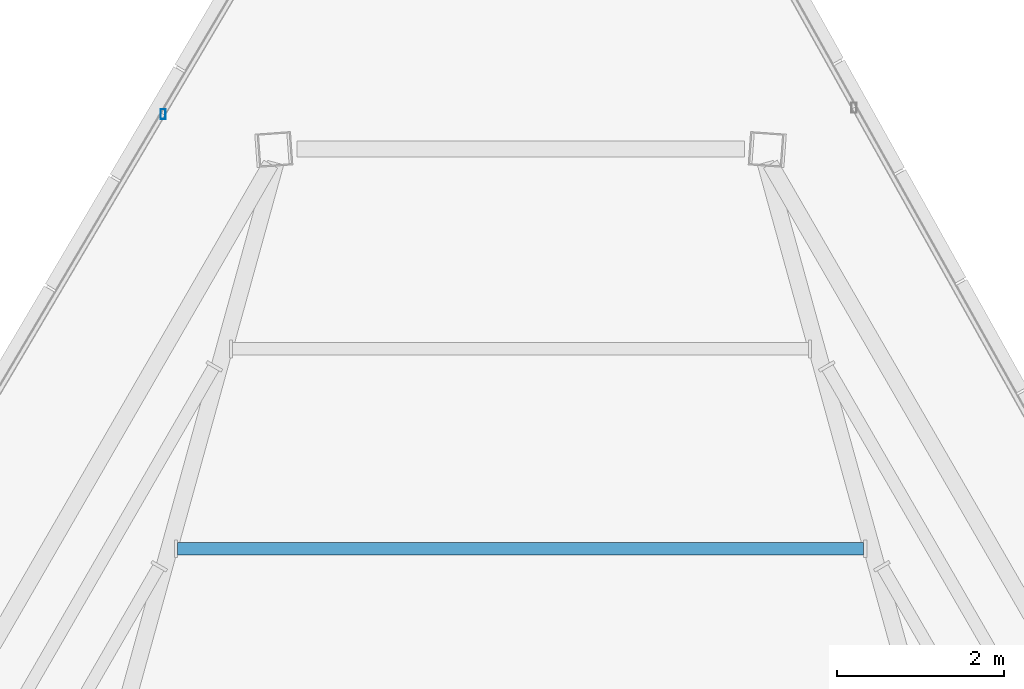
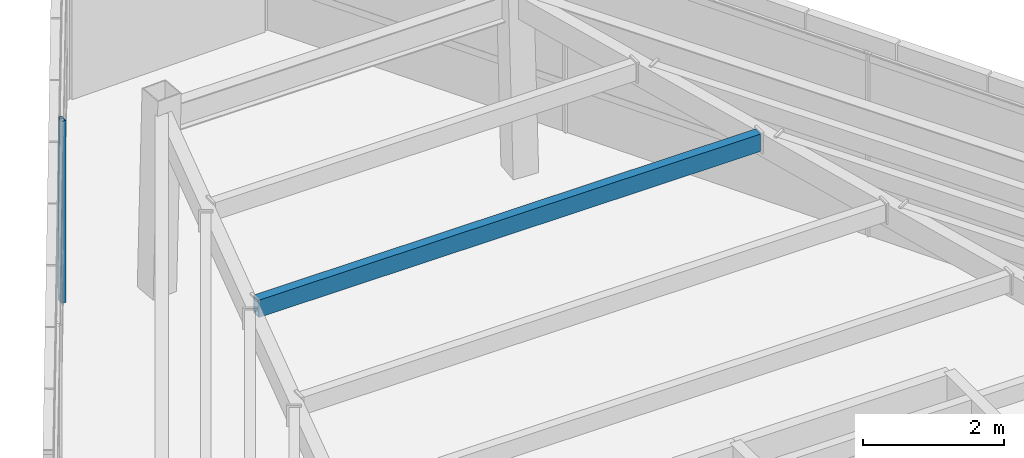
# One storey, part 34 of 47: 1 beam, 1 member, 1 element without a shape of its own.
"""IFC4 building model written with IfcOpenShell, lengths in metres."""

from ifc_helpers import new_model, si_unit, direction, frame, origin, origin_2d, place, context, subcontext, project, spatial, hollow_rectangle, extrude, source, transform, mapped, material, material_profile, profile_set, type_object, type_shapes, element, aggregate, save


model = new_model("IFC4")

# Units and contexts
model_context = context("Model", 3, precision=1e-05, world=origin(), true_north=direction((0.0, 1.0)))
body_context = subcontext(model_context, "Body", "Model", "MODEL_VIEW")
ifc_project = project(units=[si_unit("LENGTHUNIT", "METRE"), si_unit("AREAUNIT", "SQUARE_METRE"), si_unit("VOLUMEUNIT", "CUBIC_METRE"), si_unit("PLANEANGLEUNIT", "RADIAN"), si_unit("MASSUNIT", "GRAM", prefix="KILO")], contexts=[model_context])

# Site, building, storey
site_placement = place(None, origin())
site = spatial("IfcSite", under=ifc_project, at=site_placement, CompositionType="ELEMENT")
building_placement = place(site_placement, origin())
building = spatial("IfcBuilding", under=site, at=building_placement, Name="Caelisora Broadcast Tower", CompositionType="ELEMENT")
storey_placement = place(building_placement, frame((0.0, 0.0, 293.199951171875)))
storey = spatial("IfcBuildingStorey", under=building, at=storey_placement, Name="L77", CompositionType="ELEMENT", Elevation=293.199951171875)

# Beam
ifc_material_1 = material(Name="Steel Grade 350 (AS/NZS 1163 C350L0)", Category="steel")
ifc_material_profile_1 = material_profile(ifc_material_1, hollow_rectangle(XDim=0.14990234375, YDim=0.300048828125, WallThickness=0.010009765625, at=origin_2d()), Name="Steel Grade 350 (AS/NZS 1163 C350L0)")
ifc_profile_set_1 = profile_set([ifc_material_profile_1], Name="Steel Grade 350 (AS/NZS 1163 C350L0)")
beam_type = type_object("IfcBeamType", Name="SB05", PredefinedType="JOIST", material=ifc_profile_set_1)
shared_shape_1 = source(origin(), body_context, "Body", "SweptSolid", [
    extrude(hollow_rectangle(XDim=0.14990234375, YDim=0.300048828125, WallThickness=0.010009765625, at=origin_2d()), origin(), (0.0, 0.0, 1.0), 8.20703125),
])
type_shapes(beam_type, [shared_shape_1])
beam_placement = place(storey_placement, frame((42.103515625, 41.9609375, 3.0), z_axis=(-1.0, 0.0, 0.0), x_axis=(0.0, -1.0, 0.0)))
element("IfcBeam", 1, at=beam_placement, inside=storey, type_object=beam_type, Name="L77 beam SB05", PredefinedType="JOIST", context=body_context, shape_type="MappedRepresentation", body=[
    mapped(shared_shape_1, transform((0.0, 0.0, 0.0), scale=1.0)),
])

# Curtain wall, member
ifc_material_2 = material(Name="Unitised Aluminium Insulated Shadow-Box Spandrel Curtain Wall", Category="aluminium")
curtain_wall_type = type_object("IfcCurtainWallType", Name="CW-SP3", PredefinedType="NOTDEFINED", material=ifc_material_2)
curtain_wall_placement = place(storey_placement, origin())
curtain_wall = element("IfcCurtainWall", 2, at=curtain_wall_placement, inside=storey, type_object=curtain_wall_type, Name="L77 curtain wall CW-SP3", PredefinedType="NOTDEFINED")
ifc_material_3 = material(Name="Aluminium 6063-T6 Anodised Terracotta Bronze", Category="aluminium")
ifc_material_profile_2 = material_profile(ifc_material_3, hollow_rectangle(XDim=0.06005859375, YDim=0.1201171875, WallThickness=0.0029296875, at=origin_2d()), Name="Aluminium 6063-T6 Anodised Terracotta Bronze")
ifc_profile_set_2 = profile_set([ifc_material_profile_2], Name="Aluminium 6063-T6 Anodised Terracotta Bronze")
member_type = type_object("IfcMemberType", Name="CWM-04", PredefinedType="MULLION", material=ifc_profile_set_2)
shared_shape_2 = source(origin(), body_context, "Body", "SweptSolid", [
    extrude(hollow_rectangle(XDim=0.06005859375, YDim=0.1201171875, WallThickness=0.0029296875, at=origin_2d()), origin(), (0.0, 0.0, 1.0), 3.150146484375),
])
type_shapes(member_type, [shared_shape_2])
member_placement = place(storey_placement, frame((33.72216796875, 47.162841796875, 0.0), z_axis=(0.0, 0.0, 1.0), x_axis=(1.0, 0.0, 0.0)))
member = element("IfcMember", 3, at=member_placement, type_object=member_type, Name="L77-CW-B11 mullion #2", PredefinedType="MULLION", context=body_context, shape_type="MappedRepresentation", body=[
    mapped(shared_shape_2, transform((0.0, 0.0, 0.0), scale=1.0)),
])
aggregate(curtain_wall, [member])

save(model, "model.ifc")
